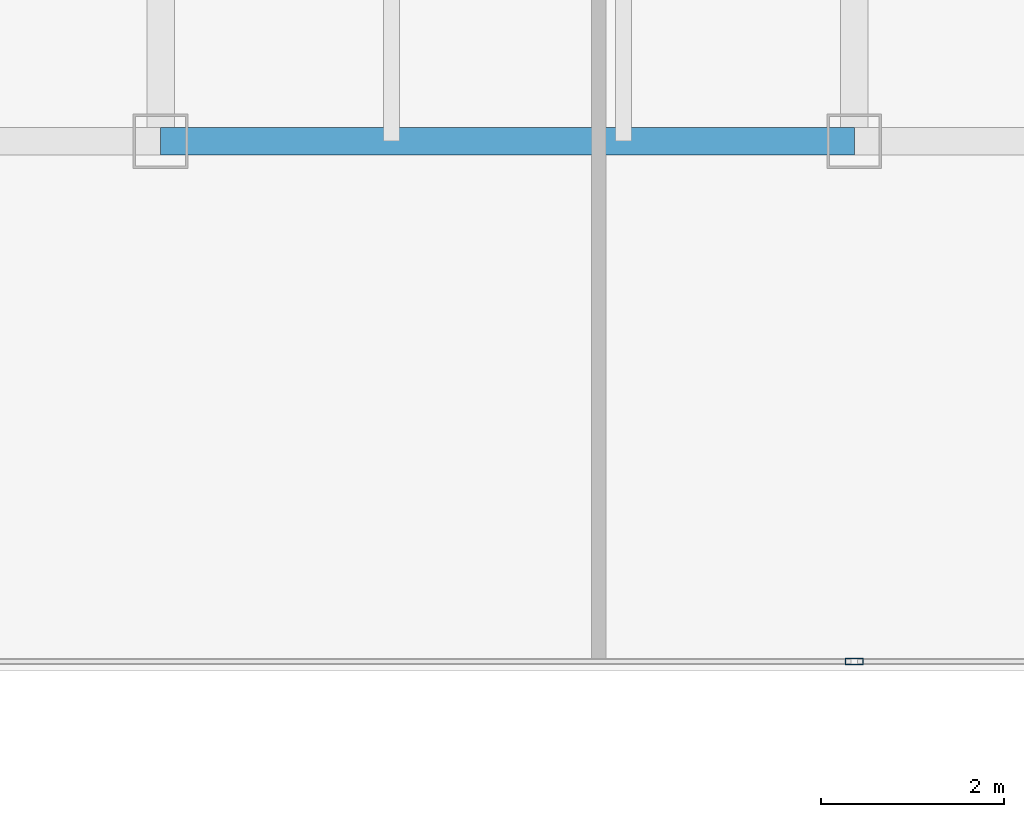
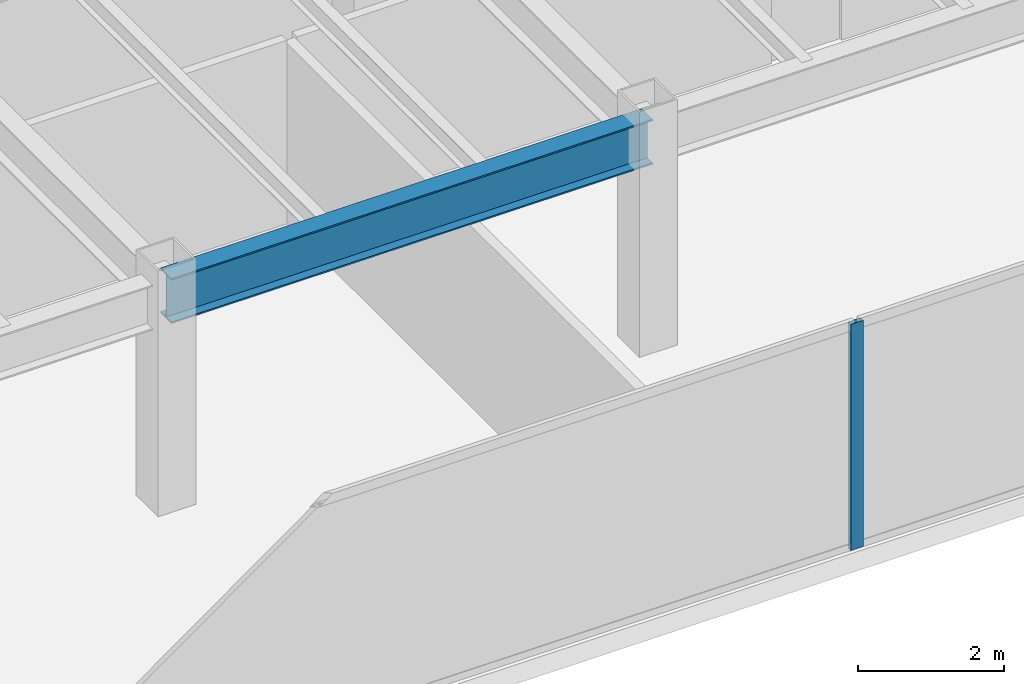
# One storey, part 8 of 35: 1 beam, 1 member, 1 element without a shape of its own.
"""IFC4 building model written with IfcOpenShell, lengths in metres."""

import ifcopenshell
import ifcopenshell.guid

model = None  # the IFC model being written
_history = None  # IfcOwnerHistory: only IFC2X3 demands one
_inside = {}  # id of a spatial element -> (the spatial element, [elements in it])
_under = {}  # id of a project, library or spatial element -> (it, [spatial elements below it])
_declared = {}  # id of a project -> (the project, [libraries it declares])
_typed = {}  # id of a type object -> (the type object, [elements of that type])
_made_of = {}  # id of a material, layer set ... -> (it, [elements and type objects made of it])


def new_model(schema):
    """Start an empty IFC model of exactly this schema.

    Asked for "IFC4X3", IfcOpenShell would pick the latest addendum, in which some entities
    have other attributes; the version numbers below select the first issue.
    IFC2X3 requires an IfcOwnerHistory on every rooted entity: one is made here for all.
    """
    global model, _history
    if schema == "IFC4X3":
        model = ifcopenshell.file(schema_version=(4, 3, 0, 0))
    else:
        model = ifcopenshell.file(schema=schema)
    _inside.clear()
    _under.clear()
    _declared.clear()
    _typed.clear()
    _made_of.clear()
    _history = None
    if model.schema == "IFC2X3":
        org = make("IfcOrganization", Name="unknown")
        user = make(
            "IfcPersonAndOrganization",
            ThePerson=make("IfcPerson", FamilyName="unknown"),
            TheOrganization=org,
        )
        app = make(
            "IfcApplication",
            ApplicationDeveloper=org,
            Version="unknown",
            ApplicationFullName="unknown",
            ApplicationIdentifier="unknown",
        )
        _history = make(
            "IfcOwnerHistory",
            OwningUser=user,
            OwningApplication=app,
            ChangeAction="ADDED",
            CreationDate=0,
        )
    return model


def make(cls, **values):
    """One entity of the class cls with the attributes given. An attribute that is None is left unset."""
    return model.create_entity(
        cls, **{name: value for name, value in values.items() if value is not None}
    )


def rooted(cls, **values):
    """An entity with a GlobalId (a new one), such as an element, a storey or a relation."""
    return make(cls, GlobalId=ifcopenshell.guid.new(), OwnerHistory=_history, **values)


def si_unit(unit_type, name, prefix=None):
    """IfcSIUnit, for example si_unit("LENGTHUNIT", "METRE", prefix="MILLI")."""
    return make("IfcSIUnit", UnitType=unit_type, Prefix=prefix, Name=name)


def assignment(units):
    """IfcUnitAssignment: the units of a project."""
    return None if units is None else make("IfcUnitAssignment", Units=units)


def point(xyz):
    """IfcCartesianPoint."""
    return None if xyz is None else make("IfcCartesianPoint", Coordinates=xyz)


def direction(xyz):
    """IfcDirection."""
    return None if xyz is None else make("IfcDirection", DirectionRatios=xyz)


def frame(location, z_axis=None, x_axis=None):
    """IfcAxis2Placement3D, a coordinate frame: its origin and axes. An axis left out is left unset."""
    return make(
        "IfcAxis2Placement3D",
        Location=point(location),
        Axis=direction(z_axis),
        RefDirection=direction(x_axis),
    )


def frame_2d(location, x_axis=None):
    """IfcAxis2Placement2D, a coordinate frame in the plane: its origin and x axis."""
    return make(
        "IfcAxis2Placement2D", Location=point(location), RefDirection=direction(x_axis)
    )


def origin():
    """The frame at (0, 0, 0) with its axes left unset."""
    return frame((0.0, 0.0, 0.0))


def origin_2d():
    """The frame at (0, 0) in the plane with its x axis left unset."""
    return frame_2d((0.0, 0.0))


def place(relative_to, where):
    """IfcLocalPlacement: puts the frame where relative to a parent placement (None: the world)."""
    return make(
        "IfcLocalPlacement", PlacementRelTo=relative_to, RelativePlacement=where
    )


def context(
    kind, dimensions, precision=None, world=None, true_north=None, identifier=None
):
    """IfcGeometricRepresentationContext, for example the 3D "Model" context."""
    return make(
        "IfcGeometricRepresentationContext",
        ContextIdentifier=identifier,
        ContextType=kind,
        CoordinateSpaceDimension=dimensions,
        Precision=precision,
        WorldCoordinateSystem=world,
        TrueNorth=true_north,
    )


def subcontext(parent, identifier, kind, view, scale=None):
    """IfcGeometricRepresentationSubContext, for example "Body" below "Model"."""
    return make(
        "IfcGeometricRepresentationSubContext",
        ContextIdentifier=identifier,
        ContextType=kind,
        ParentContext=parent,
        TargetScale=scale,
        TargetView=view,
    )


def project(units=None, contexts=None):
    """IfcProject with its units and contexts."""
    return rooted(
        "IfcProject",
        Name="project",
        RepresentationContexts=contexts,
        UnitsInContext=assignment(units),
    )


def spatial(cls, under=None, at=None, **own):
    """A site, building, storey or space (cls), placed at a placement, below another one or the project."""
    s = rooted(cls, ObjectPlacement=at, **own)
    if under is not None:
        _under.setdefault(under.id(), (under, []))[1].append(s)
    return s


def profile(cls, at=None, kind="AREA", **sizes):
    """A parametric profile (cls). Its sizes go by their IFC names, for example OverallWidth=200.0."""
    return make(cls, ProfileType=kind, Position=at, **sizes)


def hollow_rectangle(**sizes):
    """IfcRectangleHollowProfileDef."""
    return profile("IfcRectangleHollowProfileDef", **sizes)


def i_section(**sizes):
    """IfcIShapeProfileDef."""
    return profile("IfcIShapeProfileDef", **sizes)


def extrude(swept, where, along, depth):
    """IfcExtrudedAreaSolid: the profile swept, set in the frame where, extruded along a direction by depth."""
    return make(
        "IfcExtrudedAreaSolid",
        SweptArea=swept,
        Position=where,
        ExtrudedDirection=direction(along),
        Depth=depth,
    )


def shape(context_of_items, identifier, shape_type, items):
    """IfcShapeRepresentation: the items that make up one representation, for example the "Body"."""
    return make(
        "IfcShapeRepresentation",
        ContextOfItems=context_of_items,
        RepresentationIdentifier=identifier,
        RepresentationType=shape_type,
        Items=items,
    )


def source(mapping_origin, context_of_items, identifier, shape_type, items):
    """IfcRepresentationMap: a shape defined once, which mapped items show again and again."""
    return make(
        "IfcRepresentationMap",
        MappingOrigin=mapping_origin,
        MappedRepresentation=shape(context_of_items, identifier, shape_type, items),
    )


def transform(
    local_origin,
    x_axis=None,
    y_axis=None,
    z_axis=None,
    scale=None,
    scale2=None,
    scale3=None,
    uniform=True,
):
    """IfcCartesianTransformationOperator3D, or its non-uniform kind. x_axis, y_axis, z_axis: its Axis1, 2, 3."""
    if uniform:
        return make(
            "IfcCartesianTransformationOperator3D",
            Axis1=direction(x_axis),
            Axis2=direction(y_axis),
            LocalOrigin=point(local_origin),
            Scale=scale,
            Axis3=direction(z_axis),
        )
    return make(
        "IfcCartesianTransformationOperator3DnonUniform",
        Axis1=direction(x_axis),
        Axis2=direction(y_axis),
        LocalOrigin=point(local_origin),
        Scale=scale,
        Axis3=direction(z_axis),
        Scale2=scale2,
        Scale3=scale3,
    )


def mapped(mapping_source, mapping_target):
    """IfcMappedItem: shows the shape of a source again, moved by a transform."""
    return make(
        "IfcMappedItem", MappingSource=mapping_source, MappingTarget=mapping_target
    )


def material(Name=None, Category=None):
    """IfcMaterial."""
    return make("IfcMaterial", Name=Name, Category=Category)


def layer(
    of_material, thickness, ventilated=None, Name=None, Category=None, Priority=None
):
    """IfcMaterialLayer: one layer of a wall or slab, of a material (None: an air gap)."""
    return make(
        "IfcMaterialLayer",
        Material=of_material,
        LayerThickness=thickness,
        IsVentilated=ventilated,
        Name=Name,
        Category=Category,
        Priority=Priority,
    )


def layer_set(layers, Name=None):
    """IfcMaterialLayerSet."""
    return make("IfcMaterialLayerSet", MaterialLayers=layers, LayerSetName=Name)


def material_profile(
    of_material, cross_section, Name=None, Category=None, Priority=None
):
    """IfcMaterialProfile: a cross section and its material."""
    return make(
        "IfcMaterialProfile",
        Name=Name,
        Material=of_material,
        Profile=cross_section,
        Priority=Priority,
        Category=Category,
    )


def profile_set(profiles, Name=None, composite=None):
    """IfcMaterialProfileSet."""
    return make(
        "IfcMaterialProfileSet",
        Name=Name,
        MaterialProfiles=profiles,
        CompositeProfile=composite,
    )


def made_of(thing, what):
    """Note that an element or type object is made of a material, layer set ...; save() writes the relation."""
    if what is not None:
        _made_of.setdefault(what.id(), (what, []))[1].append(thing)
    return thing


def type_object(cls, material=None, **own):
    """A type object (cls), such as IfcWallType, which elements share."""
    return made_of(rooted(cls, **own), material)


def type_shapes(of_type, sources):
    """Give a type object the sources (RepresentationMaps) that its elements show as mapped items."""
    of_type.RepresentationMaps = sources


def element(
    cls,
    number,
    at=None,
    inside=None,
    cuts=None,
    type_object=None,
    material=None,
    context=None,
    identifier="Body",
    shape_type=None,
    held_by="IfcProductDefinitionShape",
    body=None,
    shapes=None,
    **own,
):
    """One element of the class cls, such as IfcWall. Its Tag is "e" and its number.

    at: its placement. inside: the storey or other place that contains it. cuts: it is an
    opening in that element (IfcRelVoidsElement). A single representation is given by context,
    identifier, shape_type and body (its items); several are given by shapes. held_by: the class
    of the entity that holds the representations. save() writes the other relations.
    """
    e = rooted(cls, Tag="e%d" % number, ObjectPlacement=at, **own)
    if body is not None:
        shapes = [shape(context, identifier, shape_type, body)]
    if shapes is not None:
        e.Representation = make(held_by, Representations=shapes)
    if inside is not None:
        _inside.setdefault(inside.id(), (inside, []))[1].append(e)
    if cuts is not None:
        rooted(
            "IfcRelVoidsElement", RelatingBuildingElement=cuts, RelatedOpeningElement=e
        )
    if type_object is not None:
        _typed.setdefault(type_object.id(), (type_object, []))[1].append(e)
    return made_of(e, material)


def aggregate(whole, parts):
    """IfcRelAggregates: a whole, such as a stair, and the parts it consists of."""
    return rooted("IfcRelAggregates", RelatingObject=whole, RelatedObjects=parts)


def save(model, path):
    """Write the relations noted so far, then the file.

    IfcRelAggregates (storeys below a building ...), IfcRelContainedInSpatialStructure (elements
    in a storey), IfcRelDefinesByType, IfcRelAssociatesMaterial and IfcRelDeclares: one each for
    every whole, place, type object, material and project.
    """
    for whole, parts in _under.values():
        aggregate(whole, parts)
    for where, things in _inside.values():
        rooted(
            "IfcRelContainedInSpatialStructure",
            RelatedElements=things,
            RelatingStructure=where,
        )
    for kind, things in _typed.values():
        rooted("IfcRelDefinesByType", RelatedObjects=things, RelatingType=kind)
    for what, things in _made_of.values():
        rooted("IfcRelAssociatesMaterial", RelatedObjects=things, RelatingMaterial=what)
    for by, libraries in _declared.values():
        rooted("IfcRelDeclares", RelatingContext=by, RelatedDefinitions=libraries)
    model.write(path)


model = new_model("IFC4")

# Units and contexts
model_context = context("Model", 3, precision=1e-05, world=origin(), true_north=direction((0.0, 1.0)))
body_context = subcontext(model_context, "Body", "Model", "MODEL_VIEW")
ifc_project = project(units=[si_unit("LENGTHUNIT", "METRE"), si_unit("AREAUNIT", "SQUARE_METRE"), si_unit("VOLUMEUNIT", "CUBIC_METRE"), si_unit("PLANEANGLEUNIT", "RADIAN"), si_unit("MASSUNIT", "GRAM", prefix="KILO")], contexts=[model_context])

# Site, building, storey
site_placement = place(None, origin())
site = spatial("IfcSite", under=ifc_project, at=site_placement, CompositionType="ELEMENT")
building_placement = place(site_placement, origin())
building = spatial("IfcBuilding", under=site, at=building_placement, Name="Haelvirn Gate Laboratories", CompositionType="ELEMENT")
storey_placement = place(building_placement, frame((0.0, 0.0, 37.5)))
storey = spatial("IfcBuildingStorey", under=building, at=storey_placement, Name="L09", CompositionType="ELEMENT", Elevation=37.5)

# Beam
ifc_material_1 = material(Name="Steel SM355", Category="steel")
ifc_material_profile_1 = material_profile(ifc_material_1, i_section(OverallWidth=0.300048828125, OverallDepth=0.75, WebThickness=0.013916015625, FlangeThickness=0.02392578125, at=origin_2d()), Name="H-750x300x14x24")
ifc_profile_set_1 = profile_set([ifc_material_profile_1], Name="Steel SM355")
beam_type = type_object("IfcBeamType", Name="BM-G-750", PredefinedType="BEAM", material=ifc_profile_set_1)
shared_shape_1 = source(origin(), body_context, "Body", "SweptSolid", [
    extrude(i_section(OverallWidth=0.300048828125, OverallDepth=0.75, WebThickness=0.013916015625, FlangeThickness=0.02392578125, at=origin_2d()), origin(), (0.0, 0.0, 1.0), 7.599853515625),
])
type_shapes(beam_type, [shared_shape_1])
beam_placement = place(storey_placement, frame((29.800048828125, 7.0, 3.405029296875), z_axis=(1.0, 0.0, 0.0), x_axis=(0.0, 1.0, 0.0)))
element("IfcBeam", 1, at=beam_placement, inside=storey, type_object=beam_type, Name="L09 Primary Girder Y7.0 (29.8-37.4)", PredefinedType="BEAM", context=body_context, shape_type="MappedRepresentation", body=[
    mapped(shared_shape_1, transform((0.0, 0.0, 0.0), scale=1.0)),
])

# Curtain wall, member
ifc_material_2 = material(Name="Anodised bronze unitised aluminium & triple low-E glass", Category="aluminium")
ifc_layer = layer(ifc_material_2, 0.18408203125, Name="CW-SYS-2")
ifc_layer_set = layer_set([ifc_layer], Name="Anodised bronze unitised aluminium & triple low-E glass")
curtain_wall_type = type_object("IfcCurtainWallType", Name="CW-SYS-2", PredefinedType="NOTDEFINED", material=ifc_layer_set)
curtain_wall_placement = place(storey_placement, origin())
curtain_wall = element("IfcCurtainWall", 2, at=curtain_wall_placement, inside=storey, type_object=curtain_wall_type, Name="L09 Unitised Curtain Wall CW-L09-P0-E02-1", PredefinedType="NOTDEFINED")
ifc_material_3 = material(Name="Extruded aluminium 6063-T6 (anodised bronze)", Category="aluminium")
ifc_material_profile_2 = material_profile(ifc_material_3, hollow_rectangle(XDim=0.074951171875, YDim=0.199951171875, WallThickness=0.0048828125, at=origin_2d()), Name="CWM-200x75x5")
ifc_profile_set_2 = profile_set([ifc_material_profile_2], Name="Extruded aluminium 6063-T6 (anodised bronze)")
member_type = type_object("IfcMemberType", Name="CWM-T200", PredefinedType="MULLION", material=ifc_profile_set_2)
shared_shape_2 = source(origin(), body_context, "Body", "SweptSolid", [
    extrude(hollow_rectangle(XDim=0.074951171875, YDim=0.199951171875, WallThickness=0.0048828125, at=origin_2d()), origin(), (0.0, 0.0, 1.0), 3.780029296875),
])
type_shapes(member_type, [shared_shape_2])
member_placement = place(storey_placement, frame((37.39990234375, 1.300048828125, 0.0), z_axis=(0.0, 0.0, 1.0), x_axis=(0.0, 1.0, 0.0)))
member = element("IfcMember", 3, at=member_placement, type_object=member_type, Name="CW2 mullion 2", PredefinedType="MULLION", context=body_context, shape_type="MappedRepresentation", body=[
    mapped(shared_shape_2, transform((0.0, 0.0, 0.0), scale=1.0)),
])
aggregate(curtain_wall, [member])

save(model, "model.ifc")
